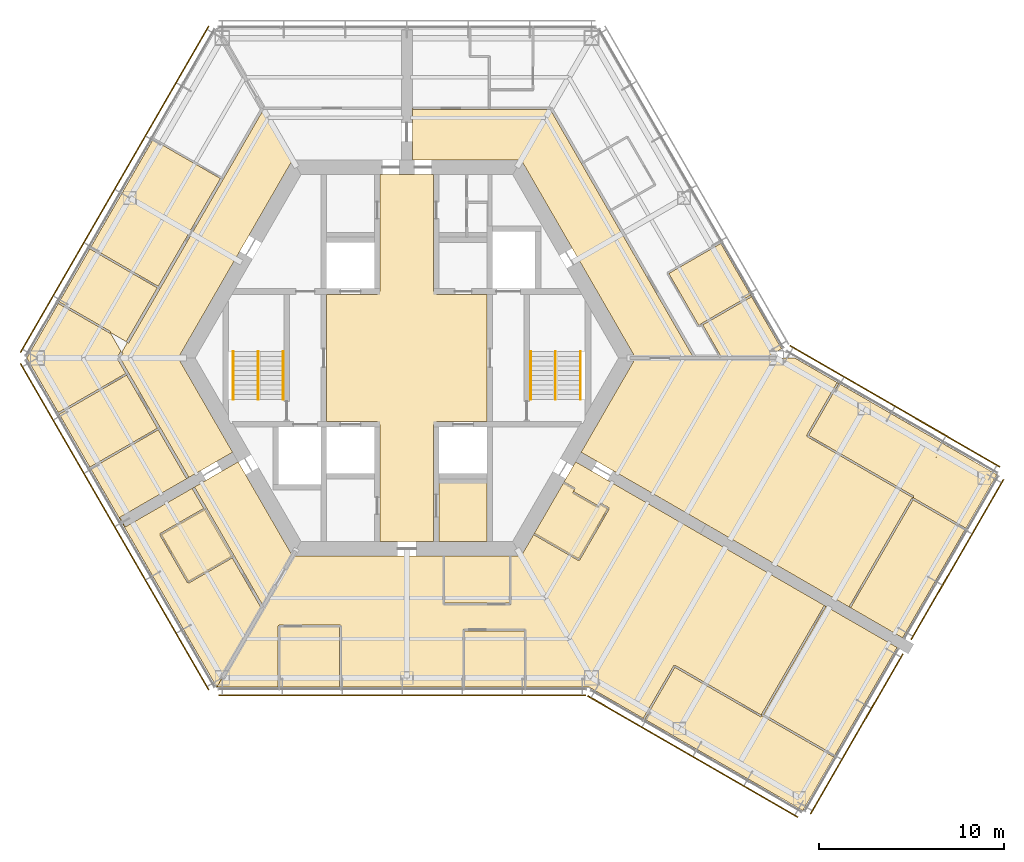
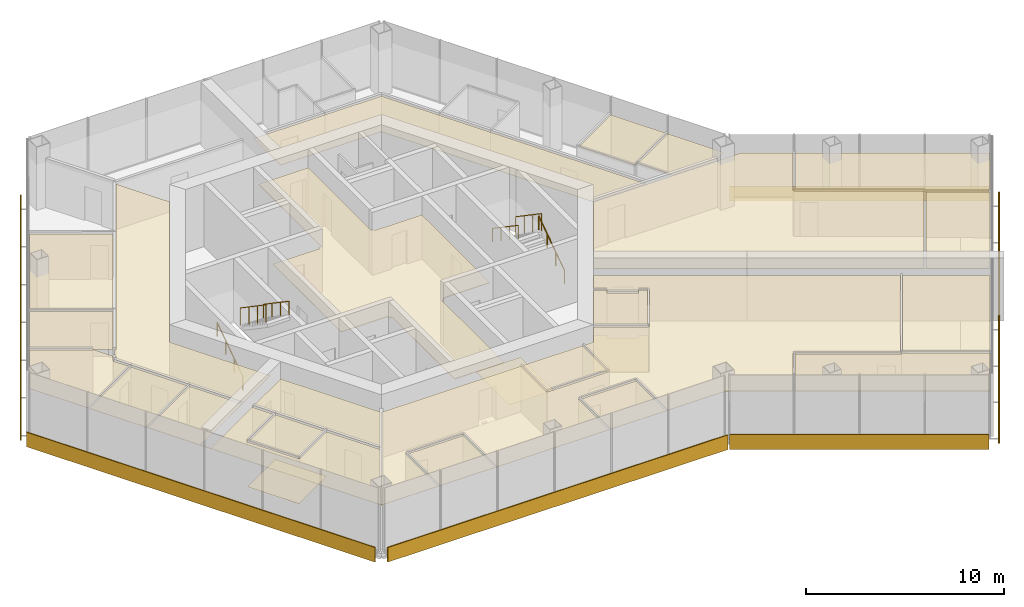
# One storey, part 16 of 17: 26 coverings, 7 shading devices, 6 railings.
"""IFC4 building model written with IfcOpenShell, lengths in metres."""

from ifc_helpers import new_model, si_unit, direction, frame, origin, origin_2d, place, context, subcontext, project, spatial, polyline, rectangle, circle, outline, extrude, material, layer, layer_set, type_object, element, save


model = new_model("IFC4")

# Units and contexts
model_context = context("Model", 3, precision=1e-05, world=origin(), true_north=direction((0.0, 1.0)))
body_context = subcontext(model_context, "Body", "Model", "MODEL_VIEW")
ifc_project = project(units=[si_unit("LENGTHUNIT", "METRE"), si_unit("AREAUNIT", "SQUARE_METRE"), si_unit("VOLUMEUNIT", "CUBIC_METRE"), si_unit("PLANEANGLEUNIT", "RADIAN"), si_unit("MASSUNIT", "GRAM", prefix="KILO")], contexts=[model_context])

# Site, building, storey
site_placement = place(None, origin())
site = spatial("IfcSite", under=ifc_project, at=site_placement, CompositionType="ELEMENT")
building_placement = place(site_placement, origin())
building = spatial("IfcBuilding", under=site, at=building_placement, Name="Kasaneha Research Tower", CompositionType="ELEMENT")
storey_placement = place(building_placement, frame((0.0, 0.0, 232.300048828125)))
storey = spatial("IfcBuildingStorey", under=building, at=storey_placement, Name="L58", CompositionType="ELEMENT", Elevation=232.300048828125)

# Covering
ifc_material_1 = material(Name="Aluminium panel ceiling", Category="aluminium")
ifc_layer_1 = layer(ifc_material_1, 0.0400390625)
ifc_layer_set_1 = layer_set([ifc_layer_1], Name="Lift lobby ceiling 40")
covering_type_1 = type_object("IfcCoveringType", Name="Lift lobby ceiling 40", PredefinedType="CEILING", material=ifc_layer_set_1)
covering_1_placement = place(storey_placement, frame((0.0, 0.0, 2.699951171875)))
element("IfcCovering", 1, at=covering_1_placement, inside=storey, type_object=covering_type_1, Name="Ceiling L58-01", PredefinedType="CEILING", context=body_context, shape_type="SweptSolid", body=[
    extrude(outline(polyline([(1.449951171875, 9.925048828125), (1.449951171875, 3.60009765625), (1.60009765625, 3.60009765625), (1.60009765625, 3.449951171875), (4.35009765625, 3.449951171875), (4.35009765625, -3.449951171875), (1.60009765625, -3.449951171875), (1.60009765625, -3.60009765625), (1.449951171875, -3.60009765625), (1.449951171875, -9.925048828125), (-1.449951171875, -9.925048828125), (-1.449951171875, -3.60009765625), (-1.60009765625, -3.60009765625), (-1.60009765625, -3.449951171875), (-4.35009765625, -3.449951171875), (-4.35009765625, 3.449951171875), (-1.60009765625, 3.449951171875), (-1.60009765625, 3.60009765625), (-1.449951171875, 3.60009765625), (-1.449951171875, 9.925048828125), (1.449951171875, 9.925048828125)])), origin(), (0.0, 0.0, 1.0), 0.0400390625),
])

# Railings
ifc_material_2 = material(Name="Steel", Category="steel")
railing_type_1 = type_object("IfcRailingType", Name="Stair balustrade 1100", PredefinedType="GUARDRAIL", material=ifc_material_2)
for number, where, name in (
    (2, (8.050048828125, 0.35009765625, 2.127197265625), "Stair 1 balustrade L58"),
    (3, (-8.050048828125, 0.35009765625, 2.127197265625), "Stair 2 balustrade L58"),
):
    element("IfcRailing", number, at=place(storey_placement, frame(where)), inside=storey, type_object=railing_type_1, Name=name, PredefinedType="GUARDRAIL", context=body_context, shape_type="SweptSolid", body=[
        extrude(circle(Radius=0.02392578125, at=origin_2d()), frame((0.0, 0.0, 1.076171875), z_axis=(0.0, -0.826240473404, 0.563317565952), x_axis=(1.0, 0.0, 0.0)), (0.0, 0.0, 1.0), 3.14697265625),
        extrude(circle(Radius=0.02099609375, at=origin_2d()), origin(), (0.0, 0.0, 1.0), 1.052001953125),
        extrude(circle(Radius=0.02099609375, at=origin_2d()), frame((0.0, -0.86669921875, 0.5908203125)), (0.0, 0.0, 1.0), 1.052001953125),
        extrude(circle(Radius=0.02099609375, at=origin_2d()), frame((0.0, -1.7333984375, 1.181884765625)), (0.0, 0.0, 1.0), 1.052001953125),
        extrude(circle(Radius=0.02099609375, at=origin_2d()), frame((0.0, -2.60009765625, 1.772705078125)), (0.0, 0.0, 1.0), 1.052001953125),
    ])
ifc_material_3 = material(Name="Steel", Category="steel")
railing_type_2 = type_object("IfcRailingType", Name="Stair handrail 850", PredefinedType="HANDRAIL", material=ifc_material_3)
railing_1_placement = place(storey_placement, frame((9.39990234375, -2.25, 0.17724609375)))
element("IfcRailing", 4, at=railing_1_placement, inside=storey, type_object=railing_type_2, Name="Stair 1 handrail L58", PredefinedType="HANDRAIL", context=body_context, shape_type="SweptSolid", body=[
    extrude(circle(Radius=0.02392578125, at=origin_2d()), frame((0.0, 0.0, 0.826171875), z_axis=(0.0, 0.826240473404, 0.563317565952), x_axis=(-1.0, 0.0, 0.0)), (0.0, 0.0, 1.0), 3.14697265625),
    extrude(circle(Radius=0.02099609375, at=origin_2d()), origin(), (0.0, 0.0, 1.0), 0.802001953125),
    extrude(circle(Radius=0.02099609375, at=origin_2d()), frame((0.0, 0.86669921875, 0.5908203125)), (0.0, 0.0, 1.0), 0.802001953125),
    extrude(circle(Radius=0.02099609375, at=origin_2d()), frame((0.0, 1.7333984375, 1.181884765625)), (0.0, 0.0, 1.0), 0.802001953125),
    extrude(circle(Radius=0.02099609375, at=origin_2d()), frame((0.0, 2.60009765625, 1.772705078125)), (0.0, 0.0, 1.0), 0.802001953125),
])
railing_2_placement = place(storey_placement, frame((6.699951171875, 0.35009765625, 2.127197265625)))
element("IfcRailing", 5, at=railing_2_placement, inside=storey, type_object=railing_type_2, Name="Stair 1 handrail L58", PredefinedType="HANDRAIL", context=body_context, shape_type="SweptSolid", body=[
    extrude(circle(Radius=0.02392578125, at=origin_2d()), frame((0.0, 0.0, 0.826171875), z_axis=(0.0, -0.826240473404, 0.563317565952), x_axis=(1.0, 0.0, 0.0)), (0.0, 0.0, 1.0), 3.14697265625),
    extrude(circle(Radius=0.02099609375, at=origin_2d()), origin(), (0.0, 0.0, 1.0), 0.802001953125),
    extrude(circle(Radius=0.02099609375, at=origin_2d()), frame((0.0, -0.86669921875, 0.5908203125)), (0.0, 0.0, 1.0), 0.802001953125),
    extrude(circle(Radius=0.02099609375, at=origin_2d()), frame((0.0, -1.7333984375, 1.181884765625)), (0.0, 0.0, 1.0), 0.802001953125),
    extrude(circle(Radius=0.02099609375, at=origin_2d()), frame((0.0, -2.60009765625, 1.772705078125)), (0.0, 0.0, 1.0), 0.802001953125),
])
railing_3_placement = place(storey_placement, frame((-9.39990234375, -2.25, 0.17724609375)))
element("IfcRailing", 6, at=railing_3_placement, inside=storey, type_object=railing_type_2, Name="Stair 2 handrail L58", PredefinedType="HANDRAIL", context=body_context, shape_type="SweptSolid", body=[
    extrude(circle(Radius=0.02392578125, at=origin_2d()), frame((0.0, 0.0, 0.826171875), z_axis=(0.0, 0.826240473404, 0.563317565952), x_axis=(-1.0, 0.0, 0.0)), (0.0, 0.0, 1.0), 3.14697265625),
    extrude(circle(Radius=0.02099609375, at=origin_2d()), origin(), (0.0, 0.0, 1.0), 0.802001953125),
    extrude(circle(Radius=0.02099609375, at=origin_2d()), frame((0.0, 0.86669921875, 0.5908203125)), (0.0, 0.0, 1.0), 0.802001953125),
    extrude(circle(Radius=0.02099609375, at=origin_2d()), frame((0.0, 1.7333984375, 1.181884765625)), (0.0, 0.0, 1.0), 0.802001953125),
    extrude(circle(Radius=0.02099609375, at=origin_2d()), frame((0.0, 2.60009765625, 1.772705078125)), (0.0, 0.0, 1.0), 0.802001953125),
])
railing_4_placement = place(storey_placement, frame((-6.699951171875, 0.35009765625, 2.127197265625)))
element("IfcRailing", 7, at=railing_4_placement, inside=storey, type_object=railing_type_2, Name="Stair 2 handrail L58", PredefinedType="HANDRAIL", context=body_context, shape_type="SweptSolid", body=[
    extrude(circle(Radius=0.02392578125, at=origin_2d()), frame((0.0, 0.0, 0.826171875), z_axis=(0.0, -0.826240473404, 0.563317565952), x_axis=(1.0, 0.0, 0.0)), (0.0, 0.0, 1.0), 3.14697265625),
    extrude(circle(Radius=0.02099609375, at=origin_2d()), origin(), (0.0, 0.0, 1.0), 0.802001953125),
    extrude(circle(Radius=0.02099609375, at=origin_2d()), frame((0.0, -0.86669921875, 0.5908203125)), (0.0, 0.0, 1.0), 0.802001953125),
    extrude(circle(Radius=0.02099609375, at=origin_2d()), frame((0.0, -1.7333984375, 1.181884765625)), (0.0, 0.0, 1.0), 0.802001953125),
    extrude(circle(Radius=0.02099609375, at=origin_2d()), frame((0.0, -2.60009765625, 1.772705078125)), (0.0, 0.0, 1.0), 0.802001953125),
])

# Coverings
ifc_material_4 = material(Name="Gypsum ceiling board", Category="gypsum")
ifc_layer_2 = layer(ifc_material_4, 0.02001953125)
ifc_layer_set_2 = layer_set([ifc_layer_2], Name="Suspended ceiling 20")
covering_type_2 = type_object("IfcCoveringType", Name="Suspended ceiling 20", PredefinedType="CEILING", material=ifc_layer_set_2)
covering_2_placement = place(storey_placement, frame((0.0, 0.0, 2.800048828125)))
element("IfcCovering", 8, at=covering_2_placement, inside=storey, type_object=covering_type_2, Name="Ceiling L58-24", PredefinedType="CEILING", context=body_context, shape_type="SweptSolid", body=[
    extrude(outline(polyline([(6.192138671875, 10.72509765625), (0.300048828125, 10.72509765625), (0.300048828125, 11.72509765625), (0.300048828125, 12.72509765625), (0.300048828125, 13.52490234375), (0.320068359375, 13.52490234375), (0.320068359375, 13.449951171875), (4.46044921875, 13.449951171875), (4.469970703125, 13.449951171875), (7.765380859375, 13.449951171875), (9.4501953125, 10.531494140625), (9.4501953125, 10.53173828125), (10.950439453125, 7.93310546875), (10.95068359375, 7.93310546875), (15.53076171875, 0.0), (12.38427734375, 0.0), (6.192138671875, 10.72509765625)])), origin(), (0.0, 0.0, 1.0), 0.02001953125),
])
covering_3_placement = place(storey_placement, frame((0.0, 0.0, 2.800048828125)))
element("IfcCovering", 9, at=covering_3_placement, inside=storey, type_object=covering_type_2, Name="Ceiling L58-27", PredefinedType="CEILING", context=body_context, shape_type="SweptSolid", body=[
    extrude(outline(polyline([(18.63720703125, 3.360595703125), (18.619873046875, 3.3505859375), (18.5947265625, 3.393798828125), (15.923095703125, 1.851318359375), (15.947998046875, 1.80810546875), (15.9306640625, 1.7978515625), (15.9130859375, 1.787841796875), (15.9130859375, 1.787841796875), (15.822509765625, 1.735595703125), (14.18212890625, 4.576904296875), (16.99658203125, 6.201904296875), (18.63720703125, 3.360595703125)])), origin(), (0.0, 0.0, 1.0), 0.02001953125),
])
covering_4_placement = place(storey_placement, frame((0.0, 0.0, 2.800048828125)))
element("IfcCovering", 10, at=covering_4_placement, inside=storey, type_object=covering_type_2, Name="Ceiling L58-29", PredefinedType="CEILING", context=body_context, shape_type="SweptSolid", body=[
    extrude(outline(polyline([(16.997802734375, 0.0), (16.986328125, 0.02001953125), (17.029541015625, 0.044921875), (16.024658203125, 1.79443359375), (18.644775390625, 3.30712890625), (18.619873046875, 3.3505859375), (18.63720703125, 3.360595703125), (20.28759765625, 0.501708984375), (19.41845703125, 0.0), (16.997802734375, 0.0)])), origin(), (0.0, 0.0, 1.0), 0.02001953125),
])
covering_5_placement = place(storey_placement, frame((0.0, 0.0, 2.800048828125)))
element("IfcCovering", 11, at=covering_5_placement, inside=storey, type_object=covering_type_2, Name="Ceiling L58-33", PredefinedType="CEILING", context=body_context, shape_type="SweptSolid", body=[
    extrude(outline(polyline([(-12.38427734375, 0.0), (-9.438232421875, -5.102783203125), (-10.30419921875, -5.602783203125), (-10.30419921875, -5.602783203125), (-11.170166015625, -6.102783203125), (-11.170166015625, -6.102783203125), (-11.863037109375, -6.502685546875), (-11.873046875, -6.4853515625), (-11.80810546875, -6.447998046875), (-13.358154296875, -3.7626953125), (-13.358154296875, -3.762939453125), (-15.065673828125, -0.805419921875), (-15.065673828125, -0.805419921875), (-15.53076171875, 0.0), (-15.376220703125, 0.267578125), (-15.441162109375, 0.304931640625), (-15.130859375, 0.84228515625), (-15.066162109375, 0.804931640625), (-13.353271484375, 3.771484375), (-13.353271484375, 3.771484375), (-9.93798828125, 9.686767578125), (-9.93798828125, 9.686767578125), (-7.765380859375, 13.449951171875), (-6.192138671875, 10.72509765625), (-12.38427734375, 0.0)])), origin(), (0.0, 0.0, 1.0), 0.02001953125),
])
covering_6_placement = place(storey_placement, frame((0.0, 0.0, 2.800048828125)))
element("IfcCovering", 12, at=covering_6_placement, inside=storey, type_object=covering_type_2, Name="Ceiling L58-34", PredefinedType="CEILING", context=body_context, shape_type="SweptSolid", body=[
    extrude(outline(polyline([(-17.12353515625, 5.9423828125), (-17.1484375, 5.899169921875), (-13.512939453125, 3.794921875), (-15.193359375, 0.88427734375), (-16.06689453125, 1.388427734375), (-16.041748046875, 1.431884765625), (-18.823486328125, 3.037841796875), (-17.140869140625, 5.952392578125), (-17.12353515625, 5.9423828125)])), origin(), (0.0, 0.0, 1.0), 0.02001953125),
])
covering_7_placement = place(storey_placement, frame((0.0, 0.0, 2.800048828125)))
element("IfcCovering", 13, at=covering_7_placement, inside=storey, type_object=covering_type_2, Name="Ceiling L58-36", PredefinedType="CEILING", context=body_context, shape_type="SweptSolid", body=[
    extrude(outline(polyline([(-15.539794921875, -8.62548828125), (-15.539794921875, -8.62548828125), (-15.3896484375, -8.88525390625), (-15.43310546875, -8.91015625), (-17.140869140625, -5.952392578125), (-17.12353515625, -5.9423828125), (-17.098388671875, -5.98583984375), (-13.45849609375, -3.88916015625), (-11.93798828125, -6.52294921875), (-11.873046875, -6.4853515625), (-11.863037109375, -6.502685546875), (-11.603271484375, -6.352783203125), (-15.539794921875, -8.62548828125), (-15.539794921875, -8.62548828125)])), origin(), (0.0, 0.0, 1.0), 0.02001953125),
])
covering_8_placement = place(storey_placement, frame((0.0, 0.0, 2.800048828125)))
element("IfcCovering", 14, at=covering_8_placement, inside=storey, type_object=covering_type_2, Name="Ceiling L58-37", PredefinedType="CEILING", context=body_context, shape_type="SweptSolid", body=[
    extrude(outline(polyline([(-20.577880859375, 0.0), (-18.873779296875, 2.951171875), (-17.09765625, 1.92578125), (-18.68115234375, 1.011474609375), (-17.097412109375, 1.92578125), (-16.091796875, 1.34521484375), (-16.069580078125, 1.383544921875), (-15.449951171875, 0.31005859375), (-15.506103515625, 0.342529296875), (-15.68212890625, 0.03759765625), (-15.617431640625, 0.0), (-15.617431640625, 0.0), (-15.617431640625, 0.0), (-15.68212890625, -0.03759765625), (-15.220703125, -0.837158203125), (-18.87353515625, -2.951171875), (-20.577880859375, 0.0)])), origin(), (0.0, 0.0, 1.0), 0.02001953125),
])
covering_9_placement = place(storey_placement, frame((0.0, 0.0, 2.800048828125)))
element("IfcCovering", 15, at=covering_9_placement, inside=storey, type_object=covering_type_2, Name="Ceiling L58-38", PredefinedType="CEILING", context=body_context, shape_type="SweptSolid", body=[
    extrude(outline(polyline([(-17.140380859375, 5.952880859375), (-13.750244140625, 11.82470703125), (-10.093017578125, 9.718505859375), (-13.462890625, 3.881591796875), (-17.098388671875, 5.985595703125), (-17.123291015625, 5.94287109375), (-17.140380859375, 5.952880859375)])), origin(), (0.0, 0.0, 1.0), 0.02001953125),
])
covering_10_placement = place(storey_placement, frame((0.0, 0.0, 2.800048828125)))
element("IfcCovering", 16, at=covering_10_placement, inside=storey, type_object=covering_type_2, Name="Ceiling L58-39", PredefinedType="CEILING", context=body_context, shape_type="SweptSolid", body=[
    extrude(outline(polyline([(-17.14111328125, -5.951904296875), (-18.823486328125, -3.037841796875), (-15.170654296875, -0.923828125), (-13.508544921875, -3.802734375), (-17.1484375, -5.899169921875), (-17.123779296875, -5.94189453125), (-17.14111328125, -5.951904296875)])), origin(), (0.0, 0.0, 1.0), 0.02001953125),
])
covering_11_placement = place(storey_placement, frame((0.0, 0.0, 2.800048828125)))
element("IfcCovering", 17, at=covering_11_placement, inside=storey, type_object=covering_type_2, Name="Ceiling L58-40", PredefinedType="CEILING", context=body_context, shape_type="SweptSolid", body=[
    extrude(outline(polyline([(-10.8701171875, -6.622314453125), (-10.004150390625, -6.122314453125), (-10.004150390625, -6.122314453125), (-9.13818359375, -5.622314453125), (-6.192138671875, -10.72509765625), (-7.765380859375, -13.449951171875), (-9.350341796875, -10.704833984375), (-9.350341796875, -10.704833984375), (-10.8505859375, -8.106201171875), (-10.8505859375, -8.106201171875), (-11.488037109375, -7.002197265625), (-11.552978515625, -7.03955078125), (-11.56298828125, -7.022216796875), (-10.8701171875, -6.622314453125), (-10.8701171875, -6.622314453125)])), origin(), (0.0, 0.0, 1.0), 0.02001953125),
])
covering_12_placement = place(storey_placement, frame((0.0, 0.0, 2.800048828125)))
element("IfcCovering", 18, at=covering_12_placement, inside=storey, type_object=covering_type_2, Name="Ceiling L58-41", PredefinedType="CEILING", context=body_context, shape_type="SweptSolid", body=[
    extrude(outline(polyline([(-13.26953125, -9.56640625), (-10.95068359375, -8.232666015625), (-9.505126953125, -10.736572265625), (-11.819580078125, -12.077880859375), (-13.26953125, -9.56640625)])), origin(), (0.0, 0.0, 1.0), 0.02001953125),
])
covering_13_placement = place(storey_placement, frame((0.0, 0.0, 2.800048828125)))
element("IfcCovering", 19, at=covering_13_placement, inside=storey, type_object=covering_type_2, Name="Ceiling L58-42", PredefinedType="CEILING", context=body_context, shape_type="SweptSolid", body=[
    extrude(outline(polyline([(-11.553466796875, -7.039794921875), (-11.617919921875, -7.0771484375), (-11.000732421875, -8.14599609375), (-13.36279296875, -9.504638671875), (-13.337890625, -9.5478515625), (-13.33837890625, -9.548095703125), (-13.338134765625, -9.54833984375), (-13.381103515625, -9.572998046875), (-11.881103515625, -12.171142578125), (-11.83837890625, -12.146484375), (-11.83837890625, -12.146484375), (-11.837890625, -12.146240234375), (-11.812744140625, -12.189453125), (-9.455078125, -10.8232421875), (-7.88525390625, -13.54248046875), (-7.820556640625, -13.505126953125), (-7.808837890625, -13.525390625), (-10.28857421875, -17.820556640625), (-15.43310546875, -8.91015625), (-15.3896484375, -8.88525390625), (-15.23974609375, -9.14501953125), (-15.23974609375, -9.14501953125), (-15.23974609375, -9.14501953125), (-11.5634765625, -7.0224609375), (-11.553466796875, -7.039794921875)])), origin(), (0.0, 0.0, 1.0), 0.02001953125),
])
covering_14_placement = place(storey_placement, frame((0.0, 0.0, 2.800048828125)))
element("IfcCovering", 20, at=covering_14_placement, inside=storey, type_object=covering_type_2, Name="Ceiling L58-43", PredefinedType="CEILING", context=body_context, shape_type="SweptSolid", body=[
    extrude(outline(polyline([(27.826416015625, -6.824462890625), (29.075439453125, -4.661865234375), (31.941650390625, -6.316650390625), (30.266845703125, -9.218017578125), (27.41064453125, -7.563720703125), (27.384033203125, -7.609619140625), (27.43212890625, -7.525146484375), (27.425048828125, -7.52001953125), (27.449951171875, -7.476806640625), (21.760498046875, -4.19189453125), (23.37548828125, -1.39453125), (23.332275390625, -1.36962890625), (23.34228515625, -1.352294921875), (29.074951171875, -4.662109375), (27.826416015625, -6.824462890625)])), origin(), (0.0, 0.0, 1.0), 0.02001953125),
])
covering_15_placement = place(storey_placement, frame((0.0, 0.0, 2.800048828125)))
element("IfcCovering", 21, at=covering_15_placement, inside=storey, type_object=covering_type_2, Name="Ceiling L58-44", PredefinedType="CEILING", context=body_context, shape_type="SweptSolid", body=[
    extrude(outline(polyline([(23.9833984375, -13.50048828125), (23.993408203125, -13.483154296875), (24.036865234375, -13.508056640625), (27.40771484375, -7.677490234375), (30.216552734375, -9.304443359375), (26.84130859375, -15.150390625), (23.9833984375, -13.50048828125)])), origin(), (0.0, 0.0, 1.0), 0.02001953125),
])
covering_16_placement = place(storey_placement, frame((0.0, 0.0, 2.800048828125)))
element("IfcCovering", 22, at=covering_16_placement, inside=storey, type_object=covering_type_2, Name="Ceiling L58-45", PredefinedType="CEILING", context=body_context, shape_type="SweptSolid", body=[
    extrude(outline(polyline([(9.438232421875, -5.102783203125), (12.38427734375, 0.0), (15.53076171875, 0.0), (15.540771484375, -0.017578125), (15.571044921875, 0.0), (16.93994140625, 0.0), (16.94287109375, -0.0048828125), (16.951416015625, 0.0), (21.0, 0.0), (23.341796875, -1.35205078125), (23.331787109375, -1.369384765625), (23.288818359375, -1.344482421875), (21.64892578125, -4.185302734375), (21.692138671875, -4.210205078125), (21.69189453125, -4.21044921875), (21.69189453125, -4.210693359375), (21.667236328125, -4.25341796875), (27.39990234375, -7.563232421875), (27.424560546875, -7.520751953125), (27.43212890625, -7.525146484375), (27.382568359375, -7.611083984375), (27.343505859375, -7.58837890625), (23.9501953125, -13.4580078125), (23.9931640625, -13.48291015625), (23.98291015625, -13.500244140625), (11.170166015625, -6.102783203125), (11.170166015625, -6.102783203125), (10.30419921875, -5.602783203125), (10.30419921875, -5.602783203125), (9.438232421875, -5.102783203125)])), origin(), (0.0, 0.0, 1.0), 0.02001953125),
])
covering_17_placement = place(storey_placement, frame((0.0, 0.0, 2.800048828125)))
element("IfcCovering", 23, at=covering_17_placement, inside=storey, type_object=covering_type_2, Name="Ceiling L58-46", PredefinedType="CEILING", context=body_context, shape_type="SweptSolid", body=[
    extrude(outline(polyline([(8.488037109375, -6.748046875), (8.50537109375, -6.758056640625), (8.48046875, -6.801513671875), (9.0693359375, -7.141357421875), (9.09423828125, -7.09814453125), (9.09423828125, -7.09814453125), (9.019287109375, -7.22802734375), (9.019287109375, -7.22802734375), (8.96923828125, -7.314697265625), (10.35498046875, -8.114501953125), (10.3798828125, -8.0712890625), (10.3798828125, -8.0712890625), (10.455078125, -7.94140625), (10.8447265625, -8.16650390625), (9.294677734375, -10.85107421875), (6.930419921875, -9.486083984375), (6.905517578125, -9.529296875), (6.88818359375, -9.51953125), (8.488037109375, -6.748046875)])), origin(), (0.0, 0.0, 1.0), 0.02001953125),
])
covering_18_placement = place(storey_placement, frame((0.0, 0.0, 2.800048828125)))
element("IfcCovering", 24, at=covering_18_placement, inside=storey, type_object=covering_type_2, Name="Ceiling L58-47", PredefinedType="CEILING", context=body_context, shape_type="SweptSolid", body=[
    extrude(outline(polyline([(-6.91552734375, -17.820556640625), (-6.91552734375, -17.800537109375), (-6.865478515625, -17.800537109375), (-6.865478515625, -14.570556640625), (-3.634521484375, -14.570556640625), (-3.634521484375, -17.800537109375), (-3.58447265625, -17.800537109375), (-3.58447265625, -17.820556640625), (-6.91552734375, -17.820556640625)])), origin(), (0.0, 0.0, 1.0), 0.02001953125),
])
covering_19_placement = place(storey_placement, frame((0.0, 0.0, 2.800048828125)))
element("IfcCovering", 25, at=covering_19_placement, inside=storey, type_object=covering_type_2, Name="Ceiling L58-48", PredefinedType="CEILING", context=body_context, shape_type="SweptSolid", body=[
    extrude(outline(polyline([(19.242431640625, -19.311279296875), (19.21630859375, -19.3564453125), (23.098876953125, -21.592529296875), (23.1240234375, -21.549072265625), (23.1416015625, -21.559326171875), (21.44140625, -24.50390625), (18.574951171875, -22.84912109375), (19.11962890625, -21.9052734375), (18.574951171875, -22.8486328125), (12.885498046875, -19.563720703125), (14.510498046875, -16.748291015625), (19.1689453125, -19.4375), (19.198486328125, -19.386474609375), (19.242431640625, -19.311279296875)])), origin(), (0.0, 0.0, 1.0), 0.02001953125),
])
covering_20_placement = place(storey_placement, frame((0.0, 0.0, 2.800048828125)))
element("IfcCovering", 26, at=covering_20_placement, inside=storey, type_object=covering_type_2, Name="Ceiling L58-49", PredefinedType="CEILING", context=body_context, shape_type="SweptSolid", body=[
    extrude(outline(polyline([(23.141357421875, -21.55908203125), (23.1240234375, -21.549072265625), (23.14892578125, -21.505859375), (19.3134765625, -19.296875), (22.677490234375, -13.46240234375), (22.63427734375, -13.4375), (22.644287109375, -13.420166015625), (24.52783203125, -14.507568359375), (26.541259765625, -15.670166015625), (23.141357421875, -21.55908203125)])), origin(), (0.0, 0.0, 1.0), 0.02001953125),
])
covering_21_placement = place(storey_placement, frame((0.0, 0.0, 2.800048828125)))
element("IfcCovering", 27, at=covering_21_placement, inside=storey, type_object=covering_type_2, Name="Ceiling L58-50", PredefinedType="CEILING", context=body_context, shape_type="SweptSolid", body=[
    extrude(outline(polyline([(5.60009765625, -10.72509765625), (5.60009765625, -10.7451171875), (5.550048828125, -10.7451171875), (5.550048828125, -13.27490234375), (2.050048828125, -13.27490234375), (2.050048828125, -10.7451171875), (2.0, -10.7451171875), (2.0, -10.72509765625), (5.60009765625, -10.72509765625)])), origin(), (0.0, 0.0, 1.0), 0.02001953125),
])
covering_22_placement = place(storey_placement, frame((0.0, 0.0, 2.800048828125)))
element("IfcCovering", 28, at=covering_22_placement, inside=storey, type_object=covering_type_2, Name="Ceiling L58-51", PredefinedType="CEILING", context=body_context, shape_type="SweptSolid", body=[
    extrude(outline(polyline([(3.077392578125, -17.820556640625), (3.077392578125, -17.800537109375), (3.12744140625, -17.800537109375), (3.12744140625, -14.7705078125), (6.3583984375, -14.7705078125), (6.3583984375, -17.800537109375), (6.408203125, -17.800537109375), (6.408203125, -17.820556640625), (3.077392578125, -17.820556640625)])), origin(), (0.0, 0.0, 1.0), 0.02001953125),
])
covering_23_placement = place(storey_placement, frame((0.0, 0.0, 2.800048828125)))
element("IfcCovering", 29, at=covering_23_placement, inside=storey, type_object=covering_type_2, Name="Ceiling L58-52", PredefinedType="CEILING", context=body_context, shape_type="SweptSolid", body=[
    extrude(outline(polyline([(1.99951171875, -10.7451171875), (1.949951171875, -10.7451171875), (1.949951171875, -13.324951171875), (1.999755859375, -13.324951171875), (1.999755859375, -13.325439453125), (2.0, -13.325439453125), (2.0, -13.375), (5.60009765625, -13.375), (5.60009765625, -13.325439453125), (5.60009765625, -13.325439453125), (5.60009765625, -13.324951171875), (5.64990234375, -13.324951171875), (5.64990234375, -10.7451171875), (5.6005859375, -10.7451171875), (5.6005859375, -10.72509765625), (6.192138671875, -10.72509765625), (6.887939453125, -9.519775390625), (6.905029296875, -9.52978515625), (6.88037109375, -9.57275390625), (9.2880859375, -10.962646484375), (9.312744140625, -10.919677734375), (9.313232421875, -10.919921875), (9.3134765625, -10.919677734375), (9.356201171875, -10.9443359375), (10.956298828125, -8.173095703125), (10.913330078125, -8.1484375), (10.913330078125, -8.1484375), (10.9130859375, -8.148193359375), (10.93798828125, -8.104736328125), (10.5048828125, -7.854736328125), (10.480224609375, -7.897705078125), (10.47998046875, -7.897705078125), (10.404541015625, -8.02783203125), (9.019775390625, -7.228271484375), (9.0947265625, -7.097900390625), (9.094482421875, -7.09765625), (9.119384765625, -7.0546875), (8.530517578125, -6.71484375), (8.505615234375, -6.757568359375), (8.48828125, -6.747802734375), (9.13818359375, -5.622314453125), (10.004150390625, -6.122314453125), (10.004150390625, -6.122314453125), (10.8701171875, -6.622314453125), (10.8701171875, -6.622314453125), (18.392822265625, -10.965576171875), (22.643798828125, -13.419921875), (22.6337890625, -13.437255859375), (22.5908203125, -13.412353515625), (19.204345703125, -19.2861328125), (19.243408203125, -19.30859375), (19.21875, -19.35107421875), (14.51708984375, -16.63671875), (14.4921875, -16.68017578125), (14.44873046875, -16.655029296875), (12.798828125, -19.513916015625), (9.865966796875, -17.820556640625), (6.40869140625, -17.820556640625), (6.40869140625, -17.800537109375), (6.458251953125, -17.800537109375), (6.458251953125, -14.720458984375), (6.408447265625, -14.720458984375), (6.408447265625, -14.719970703125), (6.408203125, -14.719970703125), (6.408203125, -14.67041015625), (3.077392578125, -14.67041015625), (3.077392578125, -14.72021484375), (3.076904296875, -14.72021484375), (3.076904296875, -14.720458984375), (3.02734375, -14.720458984375), (3.02734375, -17.800537109375), (3.076904296875, -17.800537109375), (3.076904296875, -17.820556640625), (-3.583984375, -17.820556640625), (-3.583984375, -17.800537109375), (-3.534423828125, -17.800537109375), (-3.534423828125, -14.5205078125), (-3.584228515625, -14.5205078125), (-3.584228515625, -14.520263671875), (-3.58447265625, -14.520263671875), (-3.58447265625, -14.470458984375), (-6.91552734375, -14.470458984375), (-6.91552734375, -14.52001953125), (-6.91552734375, -14.52001953125), (-6.91552734375, -14.5205078125), (-6.965576171875, -14.5205078125), (-6.965576171875, -17.800537109375), (-6.916015625, -17.800537109375), (-6.916015625, -17.820556640625), (-10.28857421875, -17.820556640625), (-7.78564453125, -13.485107421875), (-7.75537109375, -13.467529296875), (-7.765380859375, -13.449951171875), (-6.192138671875, -10.72509765625), (1.99951171875, -10.72509765625), (1.99951171875, -10.7451171875)])), origin(), (0.0, 0.0, 1.0), 0.02001953125),
])

# Shading devices
ifc_material_5 = material(Name="Terracotta", Category="masonry")
ifc_layer_3 = layer(ifc_material_5, 0.06005859375)
ifc_layer_set_3 = layer_set([ifc_layer_3], Name="Terracotta baguette screen")
shading_device_type = type_object("IfcShadingDeviceType", Name="Terracotta baguette screen", PredefinedType="USERDEFINED", material=ifc_layer_set_3)
for number, where, z_axis, x_axis, name in (
    (30, (-15.82275390625, 9.13525390625, -0.449951171875), (0.0, 0.0, 1.0), (-0.499999995722, -0.866025406254, 0.0), "Baguette screen L58 03"),
    (31, (-15.82275390625, -9.13525390625, -0.449951171875), (0.0, 0.0, 1.0), (0.499999995722, -0.866025406254, 0.0), "Baguette screen L58 04"),
):
    element("IfcShadingDevice", number, at=place(storey_placement, frame(where, z_axis=z_axis, x_axis=x_axis)), inside=storey, type_object=shading_device_type, Name=name, ObjectType="TERRACOTTA BAGUETTE SCREEN", PredefinedType="USERDEFINED", context=body_context, shape_type="SweptSolid", body=[
        extrude(rectangle(XDim=20.392822265625, YDim=0.06005859375, at=origin_2d()), origin(), (0.0, 0.0, 1.0), 0.89990234375),
    ])
shading_device_1_placement = place(storey_placement, frame((-0.253662109375, -18.2705078125, -0.449951171875), z_axis=(0.0, 0.0, 1.0), x_axis=(1.0, 0.0, 0.0)))
element("IfcShadingDevice", 32, at=shading_device_1_placement, inside=storey, type_object=shading_device_type, Name="Baguette screen L58 05", ObjectType="TERRACOTTA BAGUETTE SCREEN", PredefinedType="USERDEFINED", context=body_context, shape_type="SweptSolid", body=[
    extrude(rectangle(XDim=19.8857421875, YDim=0.06005859375, at=origin_2d()), origin(), (0.0, 0.0, 1.0), 0.89990234375),
])
shading_device_2_placement = place(storey_placement, frame((15.483642578125, -21.58349609375, -0.449951171875), z_axis=(0.0, 0.0, 1.0), x_axis=(0.866025411464, -0.499999986699, 0.0)))
element("IfcShadingDevice", 33, at=shading_device_2_placement, inside=storey, type_object=shading_device_type, Name="Baguette screen L58 06", ObjectType="TERRACOTTA BAGUETTE SCREEN", PredefinedType="USERDEFINED", context=body_context, shape_type="SweptSolid", body=[
    extrude(rectangle(XDim=13.13916015625, YDim=0.06005859375, at=origin_2d()), origin(), (0.0, 0.0, 1.0), 0.89990234375),
])
for number, where, z_axis, x_axis, name in (
    (34, (24.35595703125, -20.35498046875, -0.449951171875), (0.0, 0.0, 1.0), (0.500000011442, 0.866025397178, 0.0), "Baguette screen L58 07"),
    (35, (29.80615234375, -10.91552734375, -0.449951171875), (0.0, 0.0, 1.0), (0.500000011442, 0.866025397178, 0.0), "Baguette screen L58 08"),
):
    element("IfcShadingDevice", number, at=place(storey_placement, frame(where, z_axis=z_axis, x_axis=x_axis)), inside=storey, type_object=shading_device_type, Name=name, ObjectType="TERRACOTTA BAGUETTE SCREEN", PredefinedType="USERDEFINED", context=body_context, shape_type="SweptSolid", body=[
        extrude(rectangle(XDim=10.0, YDim=0.06005859375, at=origin_2d()), origin(), (0.0, 0.0, 1.0), 0.89990234375),
    ])
shading_device_3_placement = place(storey_placement, frame((26.43359375, -2.617431640625, -0.449951171875), z_axis=(0.0, 0.0, 1.0), x_axis=(-0.866025411464, 0.499999986699, 0.0)))
element("IfcShadingDevice", 36, at=shading_device_3_placement, inside=storey, type_object=shading_device_type, Name="Baguette screen L58 09", ObjectType="TERRACOTTA BAGUETTE SCREEN", PredefinedType="USERDEFINED", context=body_context, shape_type="SweptSolid", body=[
    extrude(rectangle(XDim=13.13916015625, YDim=0.06005859375, at=origin_2d()), origin(), (0.0, 0.0, 1.0), 0.89990234375),
])

# Coverings
ifc_material_6 = material(Name="Vinyl sheet flooring", Category="plastic")
ifc_layer_4 = layer(ifc_material_6, 0.0048828125)
ifc_layer_set_4 = layer_set([ifc_layer_4], Name="Wet room sheet flooring 5")
covering_type_3 = type_object("IfcCoveringType", Name="Wet room sheet flooring 5", PredefinedType="FLOORING", material=ifc_layer_set_4)
covering_24_placement = place(storey_placement, origin())
element("IfcCovering", 37, at=covering_24_placement, inside=storey, type_object=covering_type_3, Name="Floor finish L58-11", PredefinedType="FLOORING", context=body_context, shape_type="SweptSolid", body=[
    extrude(outline(polyline([(1.75, -9.925048828125), (1.75, -6.550048828125), (4.35009765625, -6.550048828125), (4.35009765625, -9.925048828125), (1.75, -9.925048828125)])), origin(), (0.0, 0.0, 1.0), 0.0048828125),
])
covering_25_placement = place(storey_placement, origin())
element("IfcCovering", 38, at=covering_25_placement, inside=storey, type_object=covering_type_3, Name="Floor finish L58-41", PredefinedType="FLOORING", context=body_context, shape_type="SweptSolid", body=[
    extrude(outline(polyline([(-11.837890625, -12.146240234375), (-13.337890625, -9.548095703125), (-10.9130859375, -8.148193359375), (-9.4130859375, -10.746337890625), (-11.837890625, -12.146240234375)])), origin(), (0.0, 0.0, 1.0), 0.0048828125),
])
covering_26_placement = place(storey_placement, origin())
element("IfcCovering", 39, at=covering_26_placement, inside=storey, type_object=covering_type_3, Name="Floor finish L58-46", PredefinedType="FLOORING", context=body_context, shape_type="SweptSolid", body=[
    extrude(outline(polyline([(9.31298828125, -10.91943359375), (6.88818359375, -9.51953125), (8.488037109375, -6.748046875), (9.09423828125, -7.09814453125), (8.994384765625, -7.271240234375), (10.3798828125, -8.0712890625), (10.47998046875, -7.898193359375), (10.9130859375, -8.148193359375), (9.31298828125, -10.91943359375)])), origin(), (0.0, 0.0, 1.0), 0.0048828125),
])

save(model, "model.ifc")
